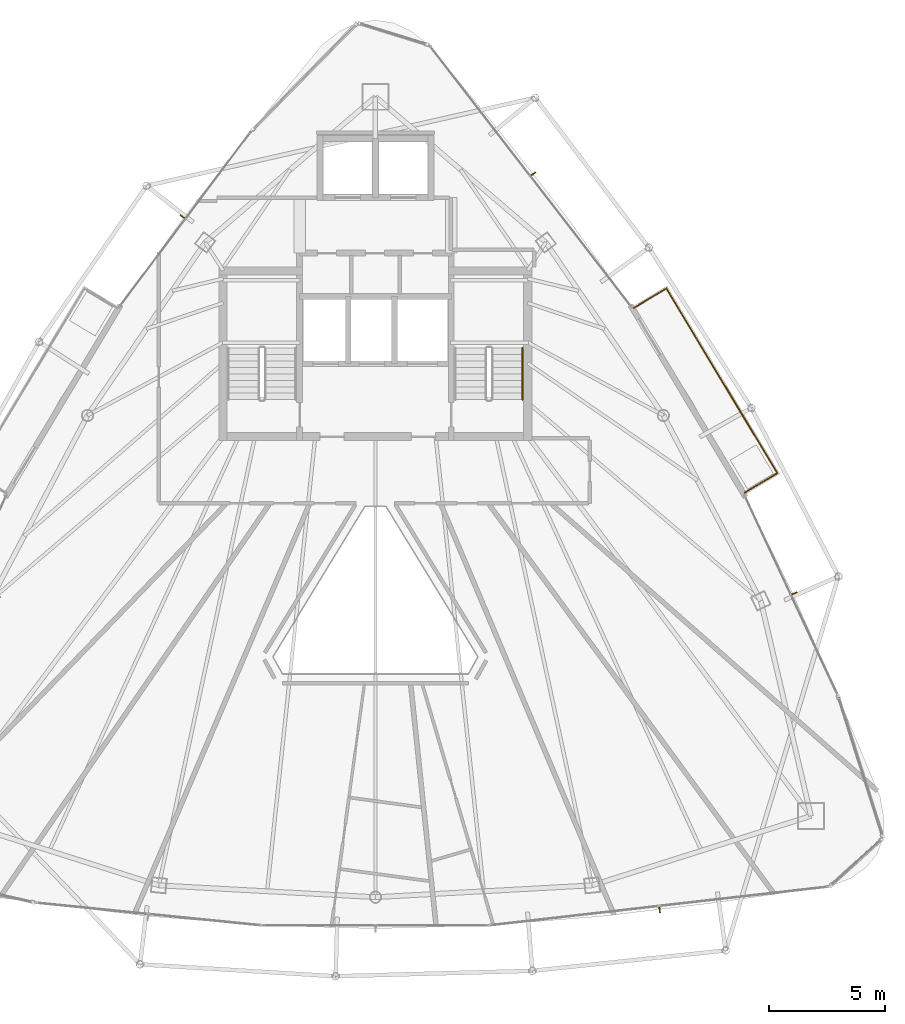
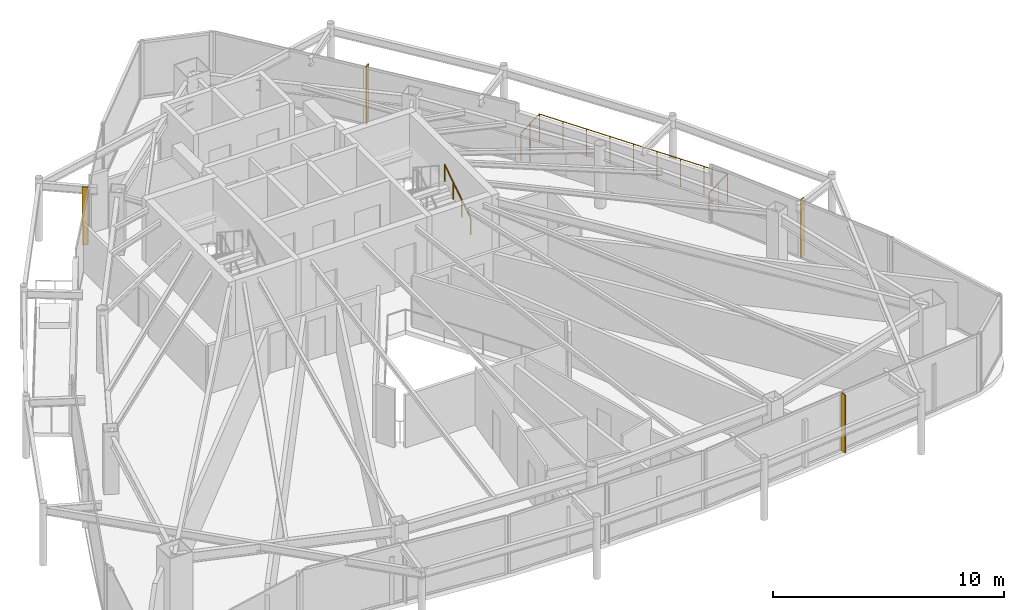
# One storey, part 28 of 28: 4 shading devices, 2 railings.
"""IFC4 building model written with IfcOpenShell, lengths in metres."""

from ifc_helpers import new_model, si_unit, direction, frame, origin, origin_2d, place, context, subcontext, project, spatial, rectangle, circle, extrude, material, layer, layer_set, type_object, element, save


model = new_model("IFC4")

# Units and contexts
model_context = context("Model", 3, precision=1e-05, world=origin(), true_north=direction((0.0, 1.0)))
body_context = subcontext(model_context, "Body", "Model", "MODEL_VIEW")
ifc_project = project(units=[si_unit("LENGTHUNIT", "METRE"), si_unit("AREAUNIT", "SQUARE_METRE"), si_unit("VOLUMEUNIT", "CUBIC_METRE"), si_unit("PLANEANGLEUNIT", "RADIAN"), si_unit("MASSUNIT", "GRAM", prefix="KILO")], contexts=[model_context])

# Site, building, storey
site_placement = place(None, origin())
site = spatial("IfcSite", under=ifc_project, at=site_placement, CompositionType="ELEMENT")
building_placement = place(site_placement, origin())
building = spatial("IfcBuilding", under=site, at=building_placement, Name="Orvanel Arch Residences", CompositionType="ELEMENT")
storey_placement = place(building_placement, frame((0.0, 0.0, 263.449951171875)))
storey = spatial("IfcBuildingStorey", under=building, at=storey_placement, Name="L75", CompositionType="ELEMENT", Elevation=263.449951171875)

# Shading devices
ifc_material_1 = material(Name="Bronze-anodised aluminium AA6063-T6", Category="aluminium")
ifc_layer = layer(ifc_material_1, 0.050048828125)
ifc_layer_set = layer_set([ifc_layer], Name="Bronze-anodised aluminium AA6063-T6")
shading_device_type = type_object("IfcShadingDeviceType", Name="FIN-BRZ-260", PredefinedType="USERDEFINED", material=ifc_layer_set)
for number, where, z_axis, x_axis, name in (
    (1, (24.669921875, 36.218994140625, 0.0), (0.0, 0.0, 1.0), (-0.799684658487, 0.600420225326, 0.0), "L75 Anodised Bronze Mullion FIN 01"),
    (2, (45.26904296875, 6.30810546875, 0.0), (0.0, 0.0, 1.0), (0.113203213768, -0.993571855677, 0.0), "L75 Anodised Bronze Mullion FIN 01"),
    (3, (51.08203125, 19.9599609375, 0.0), (0.0, 0.0, 1.0), (0.906307787037, 0.422618261741, 0.0), "L75 Anodised Bronze Mullion FIN 01"),
    (4, (39.81298828125, 38.070068359375, 0.0), (0.0, 0.0, 1.0), (0.791223532967, 0.611527040186, 0.0), "L75 Anodised Bronze Mullion FIN 01"),
):
    element("IfcShadingDevice", number, at=place(storey_placement, frame(where, z_axis=z_axis, x_axis=x_axis)), inside=storey, type_object=shading_device_type, Name=name, ObjectType="FIN", PredefinedType="USERDEFINED", context=body_context, shape_type="SweptSolid", body=[
        extrude(rectangle(XDim=0.260009765625, YDim=0.050048828125, at=origin_2d()), origin(), (0.0, 0.0, 1.0), 3.06005859375),
    ])

# Railings
railing_type_1 = type_object("IfcRailingType", Name="RL-BAL-1480", PredefinedType="BALUSTRADE", material=ifc_material_1)
railing_1_placement = place(storey_placement, frame((48.93994140625, 24.304931640625, 0.0)))
element("IfcRailing", 5, at=railing_1_placement, inside=storey, type_object=railing_type_1, Name="L75 Balcony Perimeter Guardrail Face 3", PredefinedType="BALUSTRADE", context=body_context, shape_type="SweptSolid", body=[
    extrude(circle(Radius=0.02392578125, at=origin_2d()), frame((0.001220703125, 0.000732421875, 1.4560546875), z_axis=(0.857545439568, 0.514408222208, 0.0), x_axis=(-0.514408222208, 0.857545439568, 0.0)), (0.0, 0.0, 1.0), 1.6376953125),
    extrude(circle(Radius=0.02392578125, at=origin_2d()), frame((1.40625, 0.84521484375, 1.4560546875), z_axis=(-0.514422430239, 0.857536916562, 0.0), x_axis=(-0.857536916562, -0.514422430239, 0.0)), (0.0, 0.0, 1.0), 9.300537109375),
    extrude(circle(Radius=0.02392578125, at=origin_2d()), frame((-3.380126953125, 8.8212890625, 1.4560546875), z_axis=(-0.857387817543, -0.514670895164, 0.0), x_axis=(0.514670895164, -0.857387817543, 0.0)), (0.0, 0.0, 1.0), 1.636962890625),
    extrude(circle(Radius=0.02099609375, at=origin_2d()), origin(), (0.0, 0.0, 1.0), 1.429931640625),
    extrude(circle(Radius=0.02099609375, at=origin_2d()), frame((0.70361328125, 0.421875, 0.0)), (0.0, 0.0, 1.0), 1.429931640625),
    extrude(circle(Radius=0.02099609375, at=origin_2d()), frame((1.406982421875, 0.843994140625, 0.0)), (0.0, 0.0, 1.0), 1.429931640625),
    extrude(circle(Radius=0.02099609375, at=origin_2d()), frame((0.808837890625, 1.84130859375, 0.0)), (0.0, 0.0, 1.0), 1.429931640625),
    extrude(circle(Radius=0.02099609375, at=origin_2d()), frame((0.21044921875, 2.83837890625, 0.0)), (0.0, 0.0, 1.0), 1.429931640625),
    extrude(circle(Radius=0.02099609375, at=origin_2d()), frame((-0.3876953125, 3.835693359375, 0.0)), (0.0, 0.0, 1.0), 1.429931640625),
    extrude(circle(Radius=0.02099609375, at=origin_2d()), frame((-0.98583984375, 4.8330078125, 0.0)), (0.0, 0.0, 1.0), 1.429931640625),
    extrude(circle(Radius=0.02099609375, at=origin_2d()), frame((-1.584228515625, 5.830322265625, 0.0)), (0.0, 0.0, 1.0), 1.429931640625),
    extrude(circle(Radius=0.02099609375, at=origin_2d()), frame((-2.182373046875, 6.82763671875, 0.0)), (0.0, 0.0, 1.0), 1.429931640625),
    extrude(circle(Radius=0.02099609375, at=origin_2d()), frame((-2.78076171875, 7.82470703125, 0.0)), (0.0, 0.0, 1.0), 1.429931640625),
    extrude(circle(Radius=0.02099609375, at=origin_2d()), frame((-3.37890625, 8.822021484375, 0.0)), (0.0, 0.0, 1.0), 1.429931640625),
    extrude(circle(Radius=0.02099609375, at=origin_2d()), frame((-4.08203125, 8.39990234375, 0.0)), (0.0, 0.0, 1.0), 1.429931640625),
    extrude(circle(Radius=0.02099609375, at=origin_2d()), frame((-4.784912109375, 7.97802734375, 0.0)), (0.0, 0.0, 1.0), 1.429931640625),
])
ifc_material_2 = material(Name="Structural steel AS/NZS 1163 C350L0 (Grade 350)", Category="steel")
railing_type_2 = type_object("IfcRailingType", Name="RL-STAIR-HAND", PredefinedType="HANDRAIL", material=ifc_material_2)
railing_2_placement = place(storey_placement, frame((39.35009765625, 28.320068359375, 0.183349609375)))
element("IfcRailing", 6, at=railing_2_placement, inside=storey, type_object=railing_type_2, Name="L75 ST-2 stair handrail 1", PredefinedType="HANDRAIL", context=body_context, shape_type="SweptSolid", body=[
    extrude(circle(Radius=0.02392578125, at=origin_2d()), frame((0.0, 0.001220703125, 0.876708984375), z_axis=(0.0, 0.836595146698, 0.547821650285), x_axis=(-1.0, 0.0, 0.0)), (0.0, 0.0, 1.0), 2.674560546875),
    extrude(circle(Radius=0.02099609375, at=origin_2d()), origin(), (0.0, 0.0, 1.0), 0.849853515625),
    extrude(circle(Radius=0.02099609375, at=origin_2d()), frame((0.0, 0.74658203125, 0.489013671875)), (0.0, 0.0, 1.0), 0.849853515625),
    extrude(circle(Radius=0.02099609375, at=origin_2d()), frame((0.0, 1.493408203125, 0.977783203125)), (0.0, 0.0, 1.0), 0.849853515625),
    extrude(circle(Radius=0.02099609375, at=origin_2d()), frame((0.0, 2.239990234375, 1.466796875)), (0.0, 0.0, 1.0), 0.849853515625),
])

save(model, "model.ifc")
